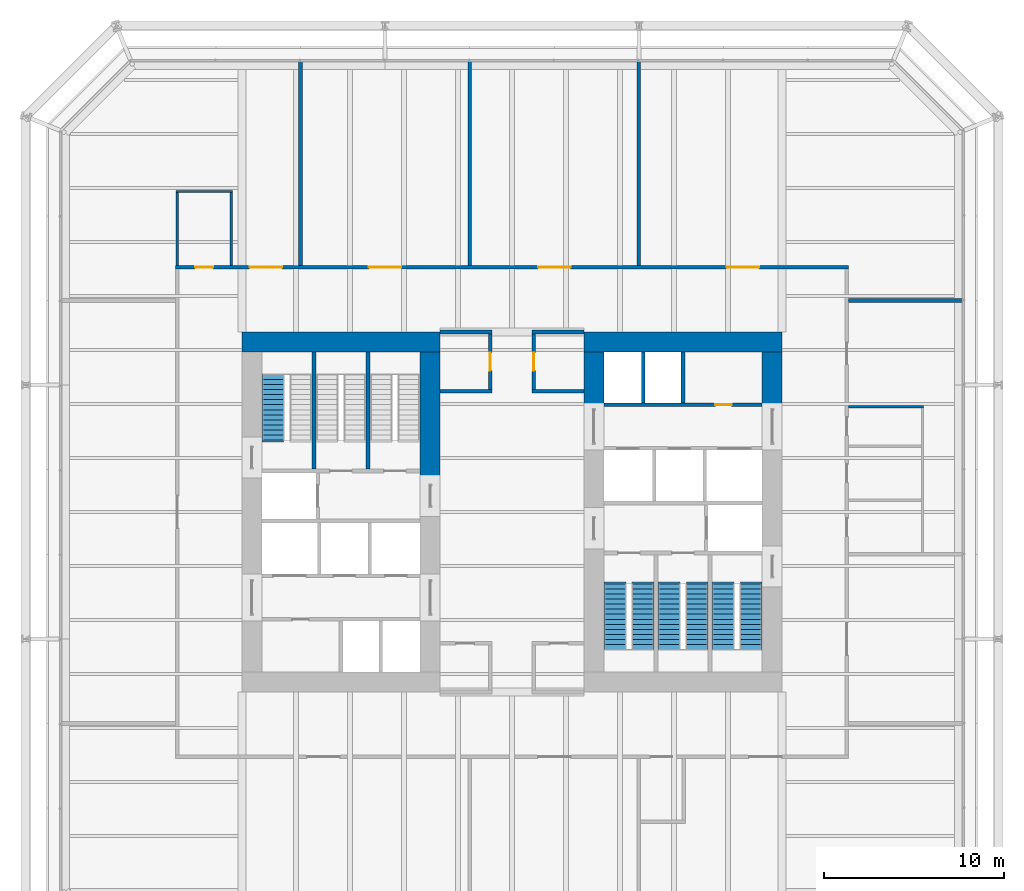
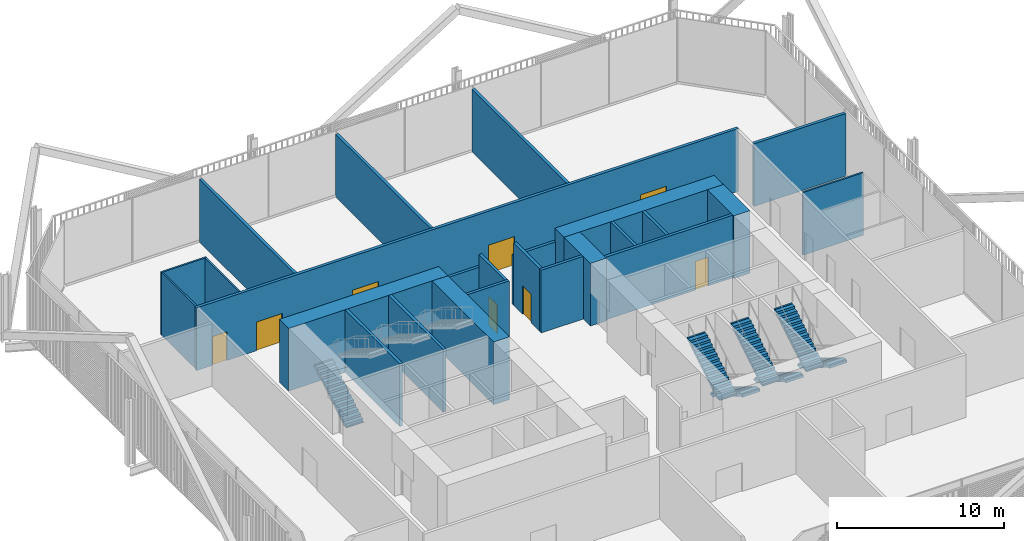
# One storey, part 20 of 22: 25 walls, 8 doors, 7 stair flights, 8 openings, 4 elements without a shape of their own.
"""IFC4 building model written with IfcOpenShell, lengths in metres."""

import ifcopenshell
import ifcopenshell.guid

model = None  # the IFC model being written
_history = None  # IfcOwnerHistory: only IFC2X3 demands one
_inside = {}  # id of a spatial element -> (the spatial element, [elements in it])
_under = {}  # id of a project, library or spatial element -> (it, [spatial elements below it])
_declared = {}  # id of a project -> (the project, [libraries it declares])
_typed = {}  # id of a type object -> (the type object, [elements of that type])
_made_of = {}  # id of a material, layer set ... -> (it, [elements and type objects made of it])


def new_model(schema):
    """Start an empty IFC model of exactly this schema.

    Asked for "IFC4X3", IfcOpenShell would pick the latest addendum, in which some entities
    have other attributes; the version numbers below select the first issue.
    IFC2X3 requires an IfcOwnerHistory on every rooted entity: one is made here for all.
    """
    global model, _history
    if schema == "IFC4X3":
        model = ifcopenshell.file(schema_version=(4, 3, 0, 0))
    else:
        model = ifcopenshell.file(schema=schema)
    _inside.clear()
    _under.clear()
    _declared.clear()
    _typed.clear()
    _made_of.clear()
    _history = None
    if model.schema == "IFC2X3":
        org = make("IfcOrganization", Name="unknown")
        user = make(
            "IfcPersonAndOrganization",
            ThePerson=make("IfcPerson", FamilyName="unknown"),
            TheOrganization=org,
        )
        app = make(
            "IfcApplication",
            ApplicationDeveloper=org,
            Version="unknown",
            ApplicationFullName="unknown",
            ApplicationIdentifier="unknown",
        )
        _history = make(
            "IfcOwnerHistory",
            OwningUser=user,
            OwningApplication=app,
            ChangeAction="ADDED",
            CreationDate=0,
        )
    return model


def make(cls, **values):
    """One entity of the class cls with the attributes given. An attribute that is None is left unset."""
    return model.create_entity(
        cls, **{name: value for name, value in values.items() if value is not None}
    )


def rooted(cls, **values):
    """An entity with a GlobalId (a new one), such as an element, a storey or a relation."""
    return make(cls, GlobalId=ifcopenshell.guid.new(), OwnerHistory=_history, **values)


def si_unit(unit_type, name, prefix=None):
    """IfcSIUnit, for example si_unit("LENGTHUNIT", "METRE", prefix="MILLI")."""
    return make("IfcSIUnit", UnitType=unit_type, Prefix=prefix, Name=name)


def assignment(units):
    """IfcUnitAssignment: the units of a project."""
    return None if units is None else make("IfcUnitAssignment", Units=units)


def point(xyz):
    """IfcCartesianPoint."""
    return None if xyz is None else make("IfcCartesianPoint", Coordinates=xyz)


def direction(xyz):
    """IfcDirection."""
    return None if xyz is None else make("IfcDirection", DirectionRatios=xyz)


def frame(location, z_axis=None, x_axis=None):
    """IfcAxis2Placement3D, a coordinate frame: its origin and axes. An axis left out is left unset."""
    return make(
        "IfcAxis2Placement3D",
        Location=point(location),
        Axis=direction(z_axis),
        RefDirection=direction(x_axis),
    )


def frame_2d(location, x_axis=None):
    """IfcAxis2Placement2D, a coordinate frame in the plane: its origin and x axis."""
    return make(
        "IfcAxis2Placement2D", Location=point(location), RefDirection=direction(x_axis)
    )


def origin():
    """The frame at (0, 0, 0) with its axes left unset."""
    return frame((0.0, 0.0, 0.0))


def place(relative_to, where):
    """IfcLocalPlacement: puts the frame where relative to a parent placement (None: the world)."""
    return make(
        "IfcLocalPlacement", PlacementRelTo=relative_to, RelativePlacement=where
    )


def context(
    kind, dimensions, precision=None, world=None, true_north=None, identifier=None
):
    """IfcGeometricRepresentationContext, for example the 3D "Model" context."""
    return make(
        "IfcGeometricRepresentationContext",
        ContextIdentifier=identifier,
        ContextType=kind,
        CoordinateSpaceDimension=dimensions,
        Precision=precision,
        WorldCoordinateSystem=world,
        TrueNorth=true_north,
    )


def subcontext(parent, identifier, kind, view, scale=None):
    """IfcGeometricRepresentationSubContext, for example "Body" below "Model"."""
    return make(
        "IfcGeometricRepresentationSubContext",
        ContextIdentifier=identifier,
        ContextType=kind,
        ParentContext=parent,
        TargetScale=scale,
        TargetView=view,
    )


def project(units=None, contexts=None):
    """IfcProject with its units and contexts."""
    return rooted(
        "IfcProject",
        Name="project",
        RepresentationContexts=contexts,
        UnitsInContext=assignment(units),
    )


def spatial(cls, under=None, at=None, **own):
    """A site, building, storey or space (cls), placed at a placement, below another one or the project."""
    s = rooted(cls, ObjectPlacement=at, **own)
    if under is not None:
        _under.setdefault(under.id(), (under, []))[1].append(s)
    return s


def polyline(points):
    """IfcPolyline through the points."""
    return make("IfcPolyline", Points=[point(p) for p in points])


def profile(cls, at=None, kind="AREA", **sizes):
    """A parametric profile (cls). Its sizes go by their IFC names, for example OverallWidth=200.0."""
    return make(cls, ProfileType=kind, Position=at, **sizes)


def rectangle(**sizes):
    """IfcRectangleProfileDef."""
    return profile("IfcRectangleProfileDef", **sizes)


def outline(outer, holes=None, kind="AREA"):
    """IfcArbitraryClosedProfileDef: a profile drawn as a closed curve; with holes, ...WithVoids."""
    if holes is None:
        return make("IfcArbitraryClosedProfileDef", ProfileType=kind, OuterCurve=outer)
    return make(
        "IfcArbitraryProfileDefWithVoids",
        ProfileType=kind,
        OuterCurve=outer,
        InnerCurves=holes,
    )


def extrude(swept, where, along, depth):
    """IfcExtrudedAreaSolid: the profile swept, set in the frame where, extruded along a direction by depth."""
    return make(
        "IfcExtrudedAreaSolid",
        SweptArea=swept,
        Position=where,
        ExtrudedDirection=direction(along),
        Depth=depth,
    )


def shape(context_of_items, identifier, shape_type, items):
    """IfcShapeRepresentation: the items that make up one representation, for example the "Body"."""
    return make(
        "IfcShapeRepresentation",
        ContextOfItems=context_of_items,
        RepresentationIdentifier=identifier,
        RepresentationType=shape_type,
        Items=items,
    )


def material(Name=None, Category=None):
    """IfcMaterial."""
    return make("IfcMaterial", Name=Name, Category=Category)


def layer(
    of_material, thickness, ventilated=None, Name=None, Category=None, Priority=None
):
    """IfcMaterialLayer: one layer of a wall or slab, of a material (None: an air gap)."""
    return make(
        "IfcMaterialLayer",
        Material=of_material,
        LayerThickness=thickness,
        IsVentilated=ventilated,
        Name=Name,
        Category=Category,
        Priority=Priority,
    )


def layer_set(layers, Name=None):
    """IfcMaterialLayerSet."""
    return make("IfcMaterialLayerSet", MaterialLayers=layers, LayerSetName=Name)


def made_of(thing, what):
    """Note that an element or type object is made of a material, layer set ...; save() writes the relation."""
    if what is not None:
        _made_of.setdefault(what.id(), (what, []))[1].append(thing)
    return thing


def type_object(cls, material=None, **own):
    """A type object (cls), such as IfcWallType, which elements share."""
    return made_of(rooted(cls, **own), material)


def element(
    cls,
    number,
    at=None,
    inside=None,
    cuts=None,
    type_object=None,
    material=None,
    context=None,
    identifier="Body",
    shape_type=None,
    held_by="IfcProductDefinitionShape",
    body=None,
    shapes=None,
    **own,
):
    """One element of the class cls, such as IfcWall. Its Tag is "e" and its number.

    at: its placement. inside: the storey or other place that contains it. cuts: it is an
    opening in that element (IfcRelVoidsElement). A single representation is given by context,
    identifier, shape_type and body (its items); several are given by shapes. held_by: the class
    of the entity that holds the representations. save() writes the other relations.
    """
    e = rooted(cls, Tag="e%d" % number, ObjectPlacement=at, **own)
    if body is not None:
        shapes = [shape(context, identifier, shape_type, body)]
    if shapes is not None:
        e.Representation = make(held_by, Representations=shapes)
    if inside is not None:
        _inside.setdefault(inside.id(), (inside, []))[1].append(e)
    if cuts is not None:
        rooted(
            "IfcRelVoidsElement", RelatingBuildingElement=cuts, RelatedOpeningElement=e
        )
    if type_object is not None:
        _typed.setdefault(type_object.id(), (type_object, []))[1].append(e)
    return made_of(e, material)


def fill(opening, filler):
    """IfcRelFillsElement: the door or window that sits in an opening."""
    return rooted(
        "IfcRelFillsElement",
        RelatingOpeningElement=opening,
        RelatedBuildingElement=filler,
    )


def aggregate(whole, parts):
    """IfcRelAggregates: a whole, such as a stair, and the parts it consists of."""
    return rooted("IfcRelAggregates", RelatingObject=whole, RelatedObjects=parts)


def save(model, path):
    """Write the relations noted so far, then the file.

    IfcRelAggregates (storeys below a building ...), IfcRelContainedInSpatialStructure (elements
    in a storey), IfcRelDefinesByType, IfcRelAssociatesMaterial and IfcRelDeclares: one each for
    every whole, place, type object, material and project.
    """
    for whole, parts in _under.values():
        aggregate(whole, parts)
    for where, things in _inside.values():
        rooted(
            "IfcRelContainedInSpatialStructure",
            RelatedElements=things,
            RelatingStructure=where,
        )
    for kind, things in _typed.values():
        rooted("IfcRelDefinesByType", RelatedObjects=things, RelatingType=kind)
    for what, things in _made_of.values():
        rooted("IfcRelAssociatesMaterial", RelatedObjects=things, RelatingMaterial=what)
    for by, libraries in _declared.values():
        rooted("IfcRelDeclares", RelatingContext=by, RelatedDefinitions=libraries)
    model.write(path)


model = new_model("IFC4")

# Units and contexts
model_context = context("Model", 3, precision=1e-05, world=origin(), true_north=direction((0.0, 1.0)))
body_context = subcontext(model_context, "Body", "Model", "MODEL_VIEW")
ifc_project = project(units=[si_unit("LENGTHUNIT", "METRE"), si_unit("AREAUNIT", "SQUARE_METRE"), si_unit("VOLUMEUNIT", "CUBIC_METRE"), si_unit("PLANEANGLEUNIT", "RADIAN"), si_unit("MASSUNIT", "GRAM", prefix="KILO")], contexts=[model_context])

# Site, building, storey
site_placement = place(None, origin())
site = spatial("IfcSite", under=ifc_project, at=site_placement, CompositionType="ELEMENT")
building_placement = place(site_placement, origin())
building = spatial("IfcBuilding", under=site, at=building_placement, Name="Millrace Tower", CompositionType="ELEMENT")
storey_placement = place(building_placement, frame((0.0, 0.0, 44.89990234375)))
storey = spatial("IfcBuildingStorey", under=building, at=storey_placement, Name="L10", CompositionType="ELEMENT", Elevation=44.89990234375)

# Walls
ifc_material_1 = material(Name="Concrete C80", Category="concrete")
ifc_layer_1 = layer(ifc_material_1, 1.10009765625)
ifc_layer_set_1 = layer_set([ifc_layer_1], Name="Concrete C80")
wall_type_1 = type_object("IfcWallType", Name="Core wall 1100 Concrete C80", PredefinedType="SHEAR", material=ifc_layer_set_1)
wall_1_placement = place(storey_placement, frame((-15.0, 9.449951171875, 0.0), z_axis=(0.0, 0.0, 1.0), x_axis=(1.0, 0.0, 0.0)))
element("IfcWall", 1, at=wall_1_placement, inside=storey, type_object=wall_type_1, Name="Core wall W L10", PredefinedType="SHEAR", context=body_context, shape_type="SweptSolid", body=[
    extrude(rectangle(XDim=11.0, YDim=1.10009765625, at=frame_2d((5.5, 0.0))), origin(), (0.0, 0.0, 1.0), 4.5751953125),
])
wall_2_placement = place(storey_placement, frame((-4.550048828125, 1.550048828125, 0.0), z_axis=(0.0, 0.0, 1.0), x_axis=(0.0, 1.0, 0.0)))
element("IfcWall", 2, at=wall_2_placement, inside=storey, type_object=wall_type_1, Name="Core wall W L10", PredefinedType="SHEAR", context=body_context, shape_type="SweptSolid", body=[
    extrude(rectangle(XDim=7.349853515625, YDim=1.10009765625, at=frame_2d((3.6748046875, 0.0))), origin(), (0.0, 0.0, 1.0), 4.5751953125),
])
wall_3_placement = place(storey_placement, frame((15.0, 9.449951171875, 0.0), z_axis=(0.0, 0.0, 1.0), x_axis=(-1.0, 0.0, 0.0)))
element("IfcWall", 3, at=wall_3_placement, inside=storey, type_object=wall_type_1, Name="Core wall E L10", PredefinedType="SHEAR", context=body_context, shape_type="SweptSolid", body=[
    extrude(rectangle(XDim=11.0, YDim=1.10009765625, at=frame_2d((5.5, 0.0))), origin(), (0.0, 0.0, 1.0), 4.5751953125),
])
for number, where, z_axis, x_axis, name in (
    (4, (14.449951171875, 8.89990234375, 0.0), (0.0, 0.0, 1.0), (0.0, -1.0, 0.0), "Core wall E L10"),
    (5, (4.550048828125, 8.89990234375, 0.0), (0.0, 0.0, 1.0), (0.0, -1.0, 0.0), "Core wall E L10"),
):
    element("IfcWall", number, at=place(storey_placement, frame(where, z_axis=z_axis, x_axis=x_axis)), inside=storey, type_object=wall_type_1, Name=name, PredefinedType="SHEAR", context=body_context, shape_type="SweptSolid", body=[
        extrude(rectangle(XDim=3.14990234375, YDim=1.10009765625, at=frame_2d((1.574951171875, 0.0))), origin(), (0.0, 0.0, 1.0), 4.5751953125),
    ])
ifc_material_2 = material(Name="Masonry partition, fire-rated", Category="masonry")
ifc_layer_2 = layer(ifc_material_2, 0.199951171875)
ifc_layer_set_2 = layer_set([ifc_layer_2], Name="Masonry partition, fire-rated")
wall_type_2 = type_object("IfcWallType", Name="Corridor wall 200", PredefinedType="PARTITIONING", material=ifc_layer_set_2)
for number, where, z_axis, x_axis, name in (
    (6, (-4.0, 6.699951171875, 0.0), (0.0, 0.0, 1.0), (1.0, 0.0, 0.0), "Corridor wall L10"),
    (7, (1.10009765625, 6.699951171875, 0.0), (0.0, 0.0, 1.0), (1.0, 0.0, 0.0), "Corridor wall L10"),
):
    element("IfcWall", number, at=place(storey_placement, frame(where, z_axis=z_axis, x_axis=x_axis)), inside=storey, type_object=wall_type_2, Name=name, PredefinedType="PARTITIONING", context=body_context, shape_type="SweptSolid", body=[
        extrude(rectangle(XDim=2.89990234375, YDim=0.199951171875, at=frame_2d((1.449951171875, 0.0))), origin(), (0.0, 0.0, 1.0), 4.5751953125),
    ])
for number, where, z_axis, x_axis, name in (
    (8, (-4.0, 10.0, 0.0), (0.0, 0.0, 1.0), (1.0, 0.0, 0.0), "Corridor wall L10"),
    (9, (1.10009765625, 10.0, 0.0), (0.0, 0.0, 1.0), (1.0, 0.0, 0.0), "Corridor wall L10"),
):
    element("IfcWall", number, at=place(storey_placement, frame(where, z_axis=z_axis, x_axis=x_axis)), inside=storey, type_object=wall_type_2, Name=name, PredefinedType="PARTITIONING", context=body_context, shape_type="SweptSolid", body=[
        extrude(rectangle(XDim=2.89990234375, YDim=0.199951171875, at=frame_2d((1.449951171875, 0.0))), origin(), (0.0, 0.0, 1.0), 3.627685546875),
    ])
wall_4_placement = place(storey_placement, frame((18.699951171875, 11.75, 0.0), z_axis=(0.0, 0.0, 1.0), x_axis=(1.0, 0.0, 0.0)))
element("IfcWall", 10, at=wall_4_placement, inside=storey, type_object=wall_type_2, Name="Corridor wall L10", PredefinedType="PARTITIONING", context=body_context, shape_type="SweptSolid", body=[
    extrude(rectangle(XDim=6.330078125, YDim=0.199951171875, at=frame_2d((3.1650390625, 0.0))), origin(), (0.0, 0.0, 1.0), 4.5751953125),
])

# Wall, openings, doors
wall_5_placement = place(storey_placement, frame((-18.699951171875, 13.60009765625, 0.0), z_axis=(0.0, 0.0, 1.0), x_axis=(1.0, 0.0, 0.0)))
wall_5 = element("IfcWall", 11, at=wall_5_placement, inside=storey, type_object=wall_type_2, Name="Corridor wall L10", PredefinedType="PARTITIONING", context=body_context, shape_type="SweptSolid", body=[
    extrude(rectangle(XDim=37.39990234375, YDim=0.199951171875, at=frame_2d((18.699951171875, 0.0))), origin(), (0.0, 0.0, 1.0), 4.5751953125),
])
opening_1_placement = place(wall_5_placement, frame((4.125, 0.0, 0.0)))
opening_1 = element("IfcOpeningElement", 12, at=opening_1_placement, cuts=wall_5, Name="Opening 10-P009", PredefinedType="OPENING", context=body_context, shape_type="SweptSolid", body=[
    extrude(rectangle(XDim=1.800048828125, YDim=2.10009765625, at=frame_2d((0.89990234375, 1.050048828125))), frame((0.0, 0.10986328125, 0.0), z_axis=(0.0, -1.0, 0.0), x_axis=(1.0, 0.0, 0.0)), (0.0, 0.0, 1.0), 0.219970703125),
])
opening_2_placement = place(wall_5_placement, frame((1.10009765625, 0.0, 0.0)))
opening_2 = element("IfcOpeningElement", 13, at=opening_2_placement, cuts=wall_5, Name="Opening 10-P010", PredefinedType="OPENING", context=body_context, shape_type="SweptSolid", body=[
    extrude(rectangle(XDim=1.0, YDim=2.10009765625, at=frame_2d((0.5, 1.050048828125))), frame((0.0, 0.10986328125, 0.0), z_axis=(0.0, -1.0, 0.0), x_axis=(1.0, 0.0, 0.0)), (0.0, 0.0, 1.0), 0.219970703125),
])
opening_3_placement = place(wall_5_placement, frame((10.75, 0.0, 0.0)))
opening_3 = element("IfcOpeningElement", 14, at=opening_3_placement, cuts=wall_5, Name="Opening 10-P011", PredefinedType="OPENING", context=body_context, shape_type="SweptSolid", body=[
    extrude(rectangle(XDim=1.800048828125, YDim=2.10009765625, at=frame_2d((0.89990234375, 1.050048828125))), frame((0.0, 0.10986328125, 0.0), z_axis=(0.0, -1.0, 0.0), x_axis=(1.0, 0.0, 0.0)), (0.0, 0.0, 1.0), 0.219970703125),
])
opening_4_placement = place(wall_5_placement, frame((20.14990234375, 0.0, 0.0)))
opening_4 = element("IfcOpeningElement", 15, at=opening_4_placement, cuts=wall_5, Name="Opening 10-P012", PredefinedType="OPENING", context=body_context, shape_type="SweptSolid", body=[
    extrude(rectangle(XDim=1.800048828125, YDim=2.10009765625, at=frame_2d((0.89990234375, 1.050048828125))), frame((0.0, 0.10986328125, 0.0), z_axis=(0.0, -1.0, 0.0), x_axis=(1.0, 0.0, 0.0)), (0.0, 0.0, 1.0), 0.219970703125),
])
opening_5_placement = place(wall_5_placement, frame((30.625, 0.0, 0.0)))
opening_5 = element("IfcOpeningElement", 16, at=opening_5_placement, cuts=wall_5, Name="Opening 10-P013", PredefinedType="OPENING", context=body_context, shape_type="SweptSolid", body=[
    extrude(rectangle(XDim=1.800048828125, YDim=2.10009765625, at=frame_2d((0.89990234375, 1.050048828125))), frame((0.0, 0.10986328125, 0.0), z_axis=(0.0, -1.0, 0.0), x_axis=(1.0, 0.0, 0.0)), (0.0, 0.0, 1.0), 0.219970703125),
])
ifc_material_3 = material(Name="Steel door set, fire-rated", Category="steel")
door_type_1 = type_object("IfcDoorType", Name="Corridor door 1000 x 2100", OperationType="SINGLE_SWING_LEFT", PredefinedType="DOOR", material=ifc_material_3)
door_1_placement = place(opening_2_placement, origin())
door_1 = element("IfcDoor", 17, at=door_1_placement, inside=storey, type_object=door_type_1, Name="Door 10-P010", OperationType="SINGLE_SWING_LEFT", OverallHeight=2.10009765625, OverallWidth=1.0, PredefinedType="DOOR", context=body_context, shape_type="SweptSolid", body=[
    extrude(rectangle(XDim=1.0, YDim=2.10009765625, at=frame_2d((0.5, 1.050048828125))), frame((0.0, 0.02490234375, 0.0), z_axis=(0.0, -1.0, 0.0), x_axis=(1.0, 0.0, 0.0)), (0.0, 0.0, 1.0), 0.050048828125),
])
fill(opening_2, door_1)
ifc_material_4 = material(Name="Steel door set, fire-rated", Category="steel")
door_type_2 = type_object("IfcDoorType", Name="Corridor door 1800 x 2100", OperationType="DOUBLE_DOOR_SINGLE_SWING", PredefinedType="DOOR", material=ifc_material_4)
door_2_placement = place(opening_1_placement, origin())
door_2 = element("IfcDoor", 18, at=door_2_placement, inside=storey, type_object=door_type_2, Name="Door 10-P009", OperationType="DOUBLE_DOOR_SINGLE_SWING", OverallHeight=2.10009765625, OverallWidth=1.800048828125, PredefinedType="DOOR", context=body_context, shape_type="SweptSolid", body=[
    extrude(rectangle(XDim=1.800048828125, YDim=2.10009765625, at=frame_2d((0.89990234375, 1.050048828125))), frame((0.0, 0.02490234375, 0.0), z_axis=(0.0, -1.0, 0.0), x_axis=(1.0, 0.0, 0.0)), (0.0, 0.0, 1.0), 0.050048828125),
])
fill(opening_1, door_2)
ifc_material_5 = material(Name="Steel door set, fire-rated", Category="steel")
door_type_3 = type_object("IfcDoorType", Name="Data hall door 1800 x 2100", OperationType="DOUBLE_DOOR_SINGLE_SWING", PredefinedType="DOOR", material=ifc_material_5)
door_3_placement = place(opening_3_placement, origin())
door_3 = element("IfcDoor", 19, at=door_3_placement, inside=storey, type_object=door_type_3, Name="Door 10-P011", OperationType="DOUBLE_DOOR_SINGLE_SWING", OverallHeight=2.10009765625, OverallWidth=1.800048828125, PredefinedType="DOOR", context=body_context, shape_type="SweptSolid", body=[
    extrude(rectangle(XDim=1.800048828125, YDim=2.10009765625, at=frame_2d((0.89990234375, 1.050048828125))), frame((0.0, 0.02490234375, 0.0), z_axis=(0.0, -1.0, 0.0), x_axis=(1.0, 0.0, 0.0)), (0.0, 0.0, 1.0), 0.050048828125),
])
fill(opening_3, door_3)
door_4_placement = place(opening_4_placement, origin())
door_4 = element("IfcDoor", 20, at=door_4_placement, inside=storey, type_object=door_type_3, Name="Door 10-P012", OperationType="DOUBLE_DOOR_SINGLE_SWING", OverallHeight=2.10009765625, OverallWidth=1.800048828125, PredefinedType="DOOR", context=body_context, shape_type="SweptSolid", body=[
    extrude(rectangle(XDim=1.800048828125, YDim=2.10009765625, at=frame_2d((0.89990234375, 1.050048828125))), frame((0.0, 0.02490234375, 0.0), z_axis=(0.0, -1.0, 0.0), x_axis=(1.0, 0.0, 0.0)), (0.0, 0.0, 1.0), 0.050048828125),
])
fill(opening_4, door_4)
door_5_placement = place(opening_5_placement, origin())
door_5 = element("IfcDoor", 21, at=door_5_placement, inside=storey, type_object=door_type_3, Name="Door 10-P013", OperationType="DOUBLE_DOOR_SINGLE_SWING", OverallHeight=2.10009765625, OverallWidth=1.800048828125, PredefinedType="DOOR", context=body_context, shape_type="SweptSolid", body=[
    extrude(rectangle(XDim=1.800048828125, YDim=2.10009765625, at=frame_2d((0.89990234375, 1.050048828125))), frame((0.0, 0.02490234375, 0.0), z_axis=(0.0, -1.0, 0.0), x_axis=(1.0, 0.0, 0.0)), (0.0, 0.0, 1.0), 0.050048828125),
])
fill(opening_5, door_5)

# Wall
wall_6_placement = place(storey_placement, frame((7.050048828125, 13.699951171875, 0.0), z_axis=(0.0, 0.0, 1.0), x_axis=(0.0, 1.0, 0.0)))
element("IfcWall", 22, at=wall_6_placement, inside=storey, type_object=wall_type_2, Name="Corridor wall L10", PredefinedType="PARTITIONING", context=body_context, shape_type="SweptSolid", body=[
    extrude(rectangle(XDim=11.330078125, YDim=0.199951171875, at=frame_2d((5.6650390625, 0.0))), origin(), (0.0, 0.0, 1.0), 4.5751953125),
])

# Wall, opening, door
wall_7_placement = place(storey_placement, frame((1.199951171875, 6.800048828125, 0.0), z_axis=(0.0, 0.0, 1.0), x_axis=(0.0, 1.0, 0.0)))
wall_7 = element("IfcWall", 23, at=wall_7_placement, inside=storey, type_object=wall_type_2, Name="Corridor wall L10", PredefinedType="PARTITIONING", context=body_context, shape_type="SweptSolid", body=[
    extrude(rectangle(XDim=3.099853515625, YDim=0.199951171875, at=frame_2d((1.5498046875, 0.0))), origin(), (0.0, 0.0, 1.0), 4.5751953125),
])
opening_6_placement = place(wall_7_placement, frame((1.050048828125, 0.0, 0.0)))
opening_6 = element("IfcOpeningElement", 24, at=opening_6_placement, cuts=wall_7, Name="Opening 10-P002", PredefinedType="OPENING", context=body_context, shape_type="SweptSolid", body=[
    extrude(rectangle(XDim=1.0, YDim=2.10009765625, at=frame_2d((0.5, 1.050048828125))), frame((0.0, 0.10986328125, 0.0), z_axis=(0.0, -1.0, 0.0), x_axis=(1.0, 0.0, 0.0)), (0.0, 0.0, 1.0), 0.219970703125),
])
door_6_placement = place(opening_6_placement, frame((1.0, 0.0, 0.0), z_axis=(0.0, 0.0, 1.0), x_axis=(-1.0, 0.0, 0.0)))
door_6 = element("IfcDoor", 25, at=door_6_placement, inside=storey, type_object=door_type_1, Name="Door 10-P002", OperationType="SINGLE_SWING_LEFT", OverallHeight=2.10009765625, OverallWidth=1.0, PredefinedType="DOOR", context=body_context, shape_type="SweptSolid", body=[
    extrude(rectangle(XDim=1.0, YDim=2.10009765625, at=frame_2d((0.5, 1.050048828125))), frame((0.0, 0.02490234375, 0.0), z_axis=(0.0, -1.0, 0.0), x_axis=(1.0, 0.0, 0.0)), (0.0, 0.0, 1.0), 0.050048828125),
])
fill(opening_6, door_6)

wall_8_placement = place(storey_placement, frame((-1.199951171875, 6.800048828125, 0.0), z_axis=(0.0, 0.0, 1.0), x_axis=(0.0, 1.0, 0.0)))
wall_8 = element("IfcWall", 26, at=wall_8_placement, inside=storey, type_object=wall_type_2, Name="Corridor wall L10", PredefinedType="PARTITIONING", context=body_context, shape_type="SweptSolid", body=[
    extrude(rectangle(XDim=3.099853515625, YDim=0.199951171875, at=frame_2d((1.5498046875, 0.0))), origin(), (0.0, 0.0, 1.0), 4.5751953125),
])
opening_7_placement = place(wall_8_placement, frame((1.050048828125, 0.0, 0.0)))
opening_7 = element("IfcOpeningElement", 27, at=opening_7_placement, cuts=wall_8, Name="Opening 10-P001", PredefinedType="OPENING", context=body_context, shape_type="SweptSolid", body=[
    extrude(rectangle(XDim=1.0, YDim=2.10009765625, at=frame_2d((0.5, 1.050048828125))), frame((0.0, 0.10986328125, 0.0), z_axis=(0.0, -1.0, 0.0), x_axis=(1.0, 0.0, 0.0)), (0.0, 0.0, 1.0), 0.219970703125),
])
door_7_placement = place(opening_7_placement, origin())
door_7 = element("IfcDoor", 28, at=door_7_placement, inside=storey, type_object=door_type_1, Name="Door 10-P001", OperationType="SINGLE_SWING_RIGHT", OverallHeight=2.10009765625, OverallWidth=1.0, PredefinedType="DOOR", context=body_context, shape_type="SweptSolid", body=[
    extrude(rectangle(XDim=1.0, YDim=2.10009765625, at=frame_2d((0.5, 1.050048828125))), frame((0.0, 0.02490234375, 0.0), z_axis=(0.0, -1.0, 0.0), x_axis=(1.0, 0.0, 0.0)), (0.0, 0.0, 1.0), 0.050048828125),
])
fill(opening_7, door_7)

# Walls
for number, where, z_axis, x_axis, name in (
    (29, (-2.35009765625, 13.699951171875, 0.0), (0.0, 0.0, 1.0), (0.0, 1.0, 0.0), "Corridor wall L10"),
    (30, (-11.75, 13.699951171875, 0.0), (0.0, 0.0, 1.0), (0.0, 1.0, 0.0), "Corridor wall L10"),
):
    element("IfcWall", number, at=place(storey_placement, frame(where, z_axis=z_axis, x_axis=x_axis)), inside=storey, type_object=wall_type_2, Name=name, PredefinedType="PARTITIONING", context=body_context, shape_type="SweptSolid", body=[
        extrude(rectangle(XDim=11.330078125, YDim=0.199951171875, at=frame_2d((5.6650390625, 0.0))), origin(), (0.0, 0.0, 1.0), 4.5751953125),
    ])

# Wall, opening, door
ifc_material_6 = material(Name="Masonry partition, fire-rated", Category="masonry")
ifc_layer_3 = layer(ifc_material_6, 0.199951171875)
ifc_layer_set_3 = layer_set([ifc_layer_3], Name="Masonry partition, fire-rated")
wall_type_3 = type_object("IfcWallType", Name="Lift shaft wall 200", PredefinedType="PARTITIONING", material=ifc_layer_set_3)
wall_9_placement = place(storey_placement, frame((13.89990234375, 5.949951171875, 0.0), z_axis=(0.0, 0.0, 1.0), x_axis=(-1.0, 0.0, 0.0)))
wall_9 = element("IfcWall", 31, at=wall_9_placement, inside=storey, type_object=wall_type_3, Name="Lift shaft wall E L10", PredefinedType="PARTITIONING", context=body_context, shape_type="SweptSolid", body=[
    extrude(rectangle(XDim=8.7998046875, YDim=0.199951171875, at=frame_2d((4.39990234375, 0.0))), origin(), (0.0, 0.0, 1.0), 4.5751953125),
])
opening_8_placement = place(wall_9_placement, frame((1.699951171875, 0.0, 0.0)))
opening_8 = element("IfcOpeningElement", 32, at=opening_8_placement, cuts=wall_9, Name="Opening 10-C012", PredefinedType="OPENING", context=body_context, shape_type="SweptSolid", body=[
    extrude(rectangle(XDim=0.89990234375, YDim=2.10009765625, at=frame_2d((0.449951171875, 1.050048828125))), frame((0.0, 0.10986328125, 0.0), z_axis=(0.0, -1.0, 0.0), x_axis=(1.0, 0.0, 0.0)), (0.0, 0.0, 1.0), 0.219970703125),
])
ifc_material_7 = material(Name="Steel door, fire-rated", Category="steel")
door_type_4 = type_object("IfcDoorType", Name="Service room door 900 x 2100", OperationType="SINGLE_SWING_LEFT", PredefinedType="DOOR", material=ifc_material_7)
door_8_placement = place(opening_8_placement, frame((0.89990234375, 0.0, 0.0), z_axis=(0.0, 0.0, 1.0), x_axis=(-1.0, 0.0, 0.0)))
door_8 = element("IfcDoor", 33, at=door_8_placement, inside=storey, type_object=door_type_4, Name="Service room door 10-C012", OperationType="SINGLE_SWING_RIGHT", OverallHeight=2.10009765625, OverallWidth=0.89990234375, PredefinedType="DOOR", context=body_context, shape_type="SweptSolid", body=[
    extrude(rectangle(XDim=0.89990234375, YDim=2.10009765625, at=frame_2d((0.449951171875, 1.050048828125))), frame((0.0, 0.02490234375, 0.0), z_axis=(0.0, -1.0, 0.0), x_axis=(1.0, 0.0, 0.0)), (0.0, 0.0, 1.0), 0.050048828125),
])
fill(opening_8, door_8)

# Walls
for number, where, z_axis, x_axis, name in (
    (34, (9.5, 8.89990234375, 0.0), (0.0, 0.0, 1.0), (0.0, -1.0, 0.0), "Lift shaft wall E L10"),
    (35, (7.300048828125, 8.89990234375, 0.0), (0.0, 0.0, 1.0), (0.0, -1.0, 0.0), "Lift shaft wall E L10"),
):
    element("IfcWall", number, at=place(storey_placement, frame(where, z_axis=z_axis, x_axis=x_axis)), inside=storey, type_object=wall_type_3, Name=name, PredefinedType="PARTITIONING", context=body_context, shape_type="SweptSolid", body=[
        extrude(rectangle(XDim=2.849853515625, YDim=0.199951171875, at=frame_2d((1.4248046875, 0.0))), origin(), (0.0, 0.0, 1.0), 4.5751953125),
    ])
ifc_material_8 = material(Name="Gypsum board partition")
ifc_layer_4 = layer(ifc_material_8, 0.1201171875)
ifc_layer_set_4 = layer_set([ifc_layer_4], Name="Gypsum board partition")
wall_type_4 = type_object("IfcWallType", Name="Partition wall 120", PredefinedType="PARTITIONING", material=ifc_layer_set_4)
wall_10_placement = place(storey_placement, frame((18.699951171875, 5.85009765625, 0.0), z_axis=(0.0, 0.0, 1.0), x_axis=(1.0, 0.0, 0.0)))
element("IfcWall", 36, at=wall_10_placement, inside=storey, type_object=wall_type_4, Name="Partition wall L10", PredefinedType="PARTITIONING", context=body_context, shape_type="SweptSolid", body=[
    extrude(rectangle(XDim=4.16015625, YDim=0.1201171875, at=frame_2d((2.080078125, 0.0))), origin(), (0.0, 0.0, 1.0), 4.5751953125),
])
wall_11_placement = place(storey_placement, frame((-18.659912109375, 17.800048828125, 0.0), z_axis=(0.0, 0.0, 1.0), x_axis=(1.0, 0.0, 0.0)))
element("IfcWall", 37, at=wall_11_placement, inside=storey, type_object=wall_type_4, Name="Partition wall L10", PredefinedType="PARTITIONING", context=body_context, shape_type="SweptSolid", body=[
    extrude(rectangle(XDim=3.119873046875, YDim=0.1201171875, at=frame_2d((1.56005859375, 0.0))), origin(), (0.0, 0.0, 1.0), 4.5751953125),
])
for number, where, z_axis, x_axis, name in (
    (38, (-15.60009765625, 13.699951171875, 0.0), (0.0, 0.0, 1.0), (0.0, 1.0, 0.0), "Partition wall L10"),
    (39, (-18.60009765625, 13.699951171875, 0.0), (0.0, 0.0, 1.0), (0.0, 1.0, 0.0), "Partition wall L10"),
):
    element("IfcWall", number, at=place(storey_placement, frame(where, z_axis=z_axis, x_axis=x_axis)), inside=storey, type_object=wall_type_4, Name=name, PredefinedType="PARTITIONING", context=body_context, shape_type="SweptSolid", body=[
        extrude(rectangle(XDim=4.0400390625, YDim=0.1201171875, at=frame_2d((2.02001953125, 0.0))), origin(), (0.0, 0.0, 1.0), 4.5751953125),
    ])
ifc_material_9 = material(Name="Concrete C40", Category="concrete")
ifc_layer_5 = layer(ifc_material_9, 0.199951171875)
ifc_layer_set_5 = layer_set([ifc_layer_5], Name="Concrete C40")
wall_type_5 = type_object("IfcWallType", Name="Stair enclosure wall 200 Concrete C40", PredefinedType="SHEAR", material=ifc_layer_set_5)
for number, where, z_axis, x_axis, name in (
    (40, (-11.0, 2.3798828125, 0.0), (0.0, 0.0, 1.0), (0.0, 1.0, 0.0), "Stair enclosure wall W L10"),
    (41, (-8.0, 2.3798828125, 0.0), (0.0, 0.0, 1.0), (0.0, 1.0, 0.0), "Stair enclosure wall W L10"),
):
    element("IfcWall", number, at=place(storey_placement, frame(where, z_axis=z_axis, x_axis=x_axis)), inside=storey, type_object=wall_type_5, Name=name, PredefinedType="SHEAR", context=body_context, shape_type="SweptSolid", body=[
        extrude(rectangle(XDim=6.52001953125, YDim=0.199951171875, at=frame_2d((3.260009765625, 0.0))), origin(), (0.0, 0.0, 1.0), 4.5751953125),
    ])

# Stair, stair flight
ifc_material_10 = material(Name="Concrete C35", Category="concrete")
stair_type = type_object("IfcStairType", Name="Exit stair", PredefinedType="HALF_TURN_STAIR", material=ifc_material_10)
placement = place(storey_placement, origin())
stair_1 = element("IfcStair", 42, at=placement, inside=storey, type_object=stair_type, Name="Stair 1 W L10", PredefinedType="HALF_TURN_STAIR")
ifc_material_11 = material(Name="Concrete C35", Category="concrete")
stair_flight_type = type_object("IfcStairFlightType", Name="Exit stair flight", PredefinedType="STRAIGHT", material=ifc_material_11)
stair_flight_1_placement = place(storey_placement, frame((-13.2900390625, 4.0, 0.0), z_axis=(0.0, 0.0, 1.0), x_axis=(0.0, 1.0, 0.0)))
stair_flight_1 = element("IfcStairFlight", 43, at=stair_flight_1_placement, type_object=stair_flight_type, Name="ST12 flight 1", NumberOfRisers=14, NumberOfTreads=13, PredefinedType="STRAIGHT", RiserHeight=0.171428571, TreadLength=0.28, context=body_context, shape_type="SweptSolid", body=[
    extrude(outline(polyline([(-0.1201171875, -0.0400390625), (-0.1201171875, 0.0), (0.0, 0.0), (0.0, 0.17138671875), (0.280029296875, 0.17138671875), (0.280029296875, 0.3427734375), (0.56005859375, 0.3427734375), (0.56005859375, 0.514404296875), (0.840087890625, 0.514404296875), (0.840087890625, 0.685791015625), (1.1201171875, 0.685791015625), (1.1201171875, 0.857177734375), (1.39990234375, 0.857177734375), (1.39990234375, 1.028564453125), (1.679931640625, 1.028564453125), (1.679931640625, 1.199951171875), (1.9599609375, 1.199951171875), (1.9599609375, 1.371337890625), (2.239990234375, 1.371337890625), (2.239990234375, 1.54296875), (2.52001953125, 1.54296875), (2.52001953125, 1.71435546875), (2.800048828125, 1.71435546875), (2.800048828125, 1.8857421875), (3.080078125, 1.8857421875), (3.080078125, 2.05712890625), (3.360107421875, 2.05712890625), (3.360107421875, 2.228515625), (3.639892578125, 2.228515625), (3.639892578125, 2.24853515625), (3.760009765625, 2.24853515625), (3.760009765625, 2.052734375), (3.639892578125, 2.052734375), (0.287109375, 0.0), (0.287109375, -0.0400390625), (-0.1201171875, -0.0400390625)])), frame((0.0, 0.60986328125, 0.0), z_axis=(0.0, -1.0, 0.0), x_axis=(1.0, 0.0, 0.0)), (0.0, 0.0, 1.0), 1.219970703125),
])
aggregate(stair_1, [stair_flight_1])

# Stair, stair flights
stair_2 = element("IfcStair", 44, at=placement, inside=storey, type_object=stair_type, Name="Stair 1 E L10", PredefinedType="HALF_TURN_STAIR")
stair_flight_2_placement = place(storey_placement, frame((13.2900390625, -4.0, 0.0), z_axis=(0.0, 0.0, 1.0), x_axis=(0.0, -1.0, 0.0)))
stair_flight_2 = element("IfcStairFlight", 45, at=stair_flight_2_placement, type_object=stair_flight_type, Name="ST12 flight 1", NumberOfRisers=14, NumberOfTreads=13, PredefinedType="STRAIGHT", RiserHeight=0.171428571, TreadLength=0.28, context=body_context, shape_type="SweptSolid", body=[
    extrude(outline(polyline([(-0.1201171875, -0.0400390625), (-0.1201171875, 0.0), (0.0, 0.0), (0.0, 0.17138671875), (0.280029296875, 0.17138671875), (0.280029296875, 0.3427734375), (0.56005859375, 0.3427734375), (0.56005859375, 0.514404296875), (0.840087890625, 0.514404296875), (0.840087890625, 0.685791015625), (1.1201171875, 0.685791015625), (1.1201171875, 0.857177734375), (1.39990234375, 0.857177734375), (1.39990234375, 1.028564453125), (1.679931640625, 1.028564453125), (1.679931640625, 1.199951171875), (1.9599609375, 1.199951171875), (1.9599609375, 1.371337890625), (2.239990234375, 1.371337890625), (2.239990234375, 1.54296875), (2.52001953125, 1.54296875), (2.52001953125, 1.71435546875), (2.800048828125, 1.71435546875), (2.800048828125, 1.8857421875), (3.080078125, 1.8857421875), (3.080078125, 2.05712890625), (3.360107421875, 2.05712890625), (3.360107421875, 2.228515625), (3.639892578125, 2.228515625), (3.639892578125, 2.24853515625), (3.760009765625, 2.24853515625), (3.760009765625, 2.052734375), (3.639892578125, 2.052734375), (0.287109375, 0.0), (0.287109375, -0.0400390625), (-0.1201171875, -0.0400390625)])), frame((0.0, 0.60986328125, 0.0), z_axis=(0.0, -1.0, 0.0), x_axis=(1.0, 0.0, 0.0)), (0.0, 0.0, 1.0), 1.219970703125),
])
stair_flight_3_placement = place(storey_placement, frame((11.7099609375, -7.639892578125, 2.400146484375), z_axis=(0.0, 0.0, 1.0), x_axis=(0.0, 1.0, 0.0)))
stair_flight_3 = element("IfcStairFlight", 46, at=stair_flight_3_placement, type_object=stair_flight_type, Name="ST12 flight 2", NumberOfRisers=14, NumberOfTreads=13, PredefinedType="STRAIGHT", RiserHeight=0.171428571, TreadLength=0.28, context=body_context, shape_type="SweptSolid", body=[
    extrude(outline(polyline([(-0.1201171875, -0.0400390625), (-0.1201171875, 0.0), (0.0, 0.0), (0.0, 0.17138671875), (0.280029296875, 0.17138671875), (0.280029296875, 0.3427734375), (0.56005859375, 0.3427734375), (0.56005859375, 0.514404296875), (0.840087890625, 0.514404296875), (0.840087890625, 0.685791015625), (1.1201171875, 0.685791015625), (1.1201171875, 0.857177734375), (1.39990234375, 0.857177734375), (1.39990234375, 1.028564453125), (1.679931640625, 1.028564453125), (1.679931640625, 1.199951171875), (1.9599609375, 1.199951171875), (1.9599609375, 1.371337890625), (2.239990234375, 1.371337890625), (2.239990234375, 1.54296875), (2.52001953125, 1.54296875), (2.52001953125, 1.71435546875), (2.800048828125, 1.71435546875), (2.800048828125, 1.8857421875), (3.080078125, 1.8857421875), (3.080078125, 2.05712890625), (3.360107421875, 2.05712890625), (3.360107421875, 2.228515625), (3.639892578125, 2.228515625), (3.639892578125, 2.24853515625), (3.760009765625, 2.24853515625), (3.760009765625, 2.052734375), (3.639892578125, 2.052734375), (0.287109375, 0.0), (0.287109375, -0.0400390625), (-0.1201171875, -0.0400390625)])), frame((0.0, 0.60986328125, 0.0), z_axis=(0.0, -1.0, 0.0), x_axis=(1.0, 0.0, 0.0)), (0.0, 0.0, 1.0), 1.219970703125),
])
aggregate(stair_2, [stair_flight_2, stair_flight_3])

stair_3 = element("IfcStair", 47, at=placement, inside=storey, type_object=stair_type, Name="Stair 2 E L10", PredefinedType="HALF_TURN_STAIR")
stair_flight_4_placement = place(storey_placement, frame((10.2900390625, -4.0, 0.0), z_axis=(0.0, 0.0, 1.0), x_axis=(0.0, -1.0, 0.0)))
stair_flight_4 = element("IfcStairFlight", 48, at=stair_flight_4_placement, type_object=stair_flight_type, Name="ST12 flight 1", NumberOfRisers=14, NumberOfTreads=13, PredefinedType="STRAIGHT", RiserHeight=0.171428571, TreadLength=0.28, context=body_context, shape_type="SweptSolid", body=[
    extrude(outline(polyline([(-0.1201171875, -0.0400390625), (-0.1201171875, 0.0), (0.0, 0.0), (0.0, 0.17138671875), (0.280029296875, 0.17138671875), (0.280029296875, 0.3427734375), (0.56005859375, 0.3427734375), (0.56005859375, 0.514404296875), (0.840087890625, 0.514404296875), (0.840087890625, 0.685791015625), (1.1201171875, 0.685791015625), (1.1201171875, 0.857177734375), (1.39990234375, 0.857177734375), (1.39990234375, 1.028564453125), (1.679931640625, 1.028564453125), (1.679931640625, 1.199951171875), (1.9599609375, 1.199951171875), (1.9599609375, 1.371337890625), (2.239990234375, 1.371337890625), (2.239990234375, 1.54296875), (2.52001953125, 1.54296875), (2.52001953125, 1.71435546875), (2.800048828125, 1.71435546875), (2.800048828125, 1.8857421875), (3.080078125, 1.8857421875), (3.080078125, 2.05712890625), (3.360107421875, 2.05712890625), (3.360107421875, 2.228515625), (3.639892578125, 2.228515625), (3.639892578125, 2.24853515625), (3.760009765625, 2.24853515625), (3.760009765625, 2.052734375), (3.639892578125, 2.052734375), (0.287109375, 0.0), (0.287109375, -0.0400390625), (-0.1201171875, -0.0400390625)])), frame((0.0, 0.60986328125, 0.0), z_axis=(0.0, -1.0, 0.0), x_axis=(1.0, 0.0, 0.0)), (0.0, 0.0, 1.0), 1.219970703125),
])
stair_flight_5_placement = place(storey_placement, frame((8.7099609375, -7.639892578125, 2.400146484375), z_axis=(0.0, 0.0, 1.0), x_axis=(0.0, 1.0, 0.0)))
stair_flight_5 = element("IfcStairFlight", 49, at=stair_flight_5_placement, type_object=stair_flight_type, Name="ST12 flight 2", NumberOfRisers=14, NumberOfTreads=13, PredefinedType="STRAIGHT", RiserHeight=0.171428571, TreadLength=0.28, context=body_context, shape_type="SweptSolid", body=[
    extrude(outline(polyline([(-0.1201171875, -0.0400390625), (-0.1201171875, 0.0), (0.0, 0.0), (0.0, 0.17138671875), (0.280029296875, 0.17138671875), (0.280029296875, 0.3427734375), (0.56005859375, 0.3427734375), (0.56005859375, 0.514404296875), (0.840087890625, 0.514404296875), (0.840087890625, 0.685791015625), (1.1201171875, 0.685791015625), (1.1201171875, 0.857177734375), (1.39990234375, 0.857177734375), (1.39990234375, 1.028564453125), (1.679931640625, 1.028564453125), (1.679931640625, 1.199951171875), (1.9599609375, 1.199951171875), (1.9599609375, 1.371337890625), (2.239990234375, 1.371337890625), (2.239990234375, 1.54296875), (2.52001953125, 1.54296875), (2.52001953125, 1.71435546875), (2.800048828125, 1.71435546875), (2.800048828125, 1.8857421875), (3.080078125, 1.8857421875), (3.080078125, 2.05712890625), (3.360107421875, 2.05712890625), (3.360107421875, 2.228515625), (3.639892578125, 2.228515625), (3.639892578125, 2.24853515625), (3.760009765625, 2.24853515625), (3.760009765625, 2.052734375), (3.639892578125, 2.052734375), (0.287109375, 0.0), (0.287109375, -0.0400390625), (-0.1201171875, -0.0400390625)])), frame((0.0, 0.60986328125, 0.0), z_axis=(0.0, -1.0, 0.0), x_axis=(1.0, 0.0, 0.0)), (0.0, 0.0, 1.0), 1.219970703125),
])
aggregate(stair_3, [stair_flight_4, stair_flight_5])

stair_4 = element("IfcStair", 50, at=placement, inside=storey, type_object=stair_type, Name="Stair 3 E L10", PredefinedType="HALF_TURN_STAIR")
stair_flight_6_placement = place(storey_placement, frame((7.2900390625, -4.0, 0.0), z_axis=(0.0, 0.0, 1.0), x_axis=(0.0, -1.0, 0.0)))
stair_flight_6 = element("IfcStairFlight", 51, at=stair_flight_6_placement, type_object=stair_flight_type, Name="ST12 flight 1", NumberOfRisers=14, NumberOfTreads=13, PredefinedType="STRAIGHT", RiserHeight=0.171428571, TreadLength=0.28, context=body_context, shape_type="SweptSolid", body=[
    extrude(outline(polyline([(-0.1201171875, -0.0400390625), (-0.1201171875, 0.0), (0.0, 0.0), (0.0, 0.17138671875), (0.280029296875, 0.17138671875), (0.280029296875, 0.3427734375), (0.56005859375, 0.3427734375), (0.56005859375, 0.514404296875), (0.840087890625, 0.514404296875), (0.840087890625, 0.685791015625), (1.1201171875, 0.685791015625), (1.1201171875, 0.857177734375), (1.39990234375, 0.857177734375), (1.39990234375, 1.028564453125), (1.679931640625, 1.028564453125), (1.679931640625, 1.199951171875), (1.9599609375, 1.199951171875), (1.9599609375, 1.371337890625), (2.239990234375, 1.371337890625), (2.239990234375, 1.54296875), (2.52001953125, 1.54296875), (2.52001953125, 1.71435546875), (2.800048828125, 1.71435546875), (2.800048828125, 1.8857421875), (3.080078125, 1.8857421875), (3.080078125, 2.05712890625), (3.360107421875, 2.05712890625), (3.360107421875, 2.228515625), (3.639892578125, 2.228515625), (3.639892578125, 2.24853515625), (3.760009765625, 2.24853515625), (3.760009765625, 2.052734375), (3.639892578125, 2.052734375), (0.287109375, 0.0), (0.287109375, -0.0400390625), (-0.1201171875, -0.0400390625)])), frame((0.0, 0.60986328125, 0.0), z_axis=(0.0, -1.0, 0.0), x_axis=(1.0, 0.0, 0.0)), (0.0, 0.0, 1.0), 1.219970703125),
])
stair_flight_7_placement = place(storey_placement, frame((5.7099609375, -7.639892578125, 2.400146484375), z_axis=(0.0, 0.0, 1.0), x_axis=(0.0, 1.0, 0.0)))
stair_flight_7 = element("IfcStairFlight", 52, at=stair_flight_7_placement, type_object=stair_flight_type, Name="ST12 flight 2", NumberOfRisers=14, NumberOfTreads=13, PredefinedType="STRAIGHT", RiserHeight=0.171428571, TreadLength=0.28, context=body_context, shape_type="SweptSolid", body=[
    extrude(outline(polyline([(-0.1201171875, -0.0400390625), (-0.1201171875, 0.0), (0.0, 0.0), (0.0, 0.17138671875), (0.280029296875, 0.17138671875), (0.280029296875, 0.3427734375), (0.56005859375, 0.3427734375), (0.56005859375, 0.514404296875), (0.840087890625, 0.514404296875), (0.840087890625, 0.685791015625), (1.1201171875, 0.685791015625), (1.1201171875, 0.857177734375), (1.39990234375, 0.857177734375), (1.39990234375, 1.028564453125), (1.679931640625, 1.028564453125), (1.679931640625, 1.199951171875), (1.9599609375, 1.199951171875), (1.9599609375, 1.371337890625), (2.239990234375, 1.371337890625), (2.239990234375, 1.54296875), (2.52001953125, 1.54296875), (2.52001953125, 1.71435546875), (2.800048828125, 1.71435546875), (2.800048828125, 1.8857421875), (3.080078125, 1.8857421875), (3.080078125, 2.05712890625), (3.360107421875, 2.05712890625), (3.360107421875, 2.228515625), (3.639892578125, 2.228515625), (3.639892578125, 2.24853515625), (3.760009765625, 2.24853515625), (3.760009765625, 2.052734375), (3.639892578125, 2.052734375), (0.287109375, 0.0), (0.287109375, -0.0400390625), (-0.1201171875, -0.0400390625)])), frame((0.0, 0.60986328125, 0.0), z_axis=(0.0, -1.0, 0.0), x_axis=(1.0, 0.0, 0.0)), (0.0, 0.0, 1.0), 1.219970703125),
])
aggregate(stair_4, [stair_flight_6, stair_flight_7])

save(model, "model.ifc")
